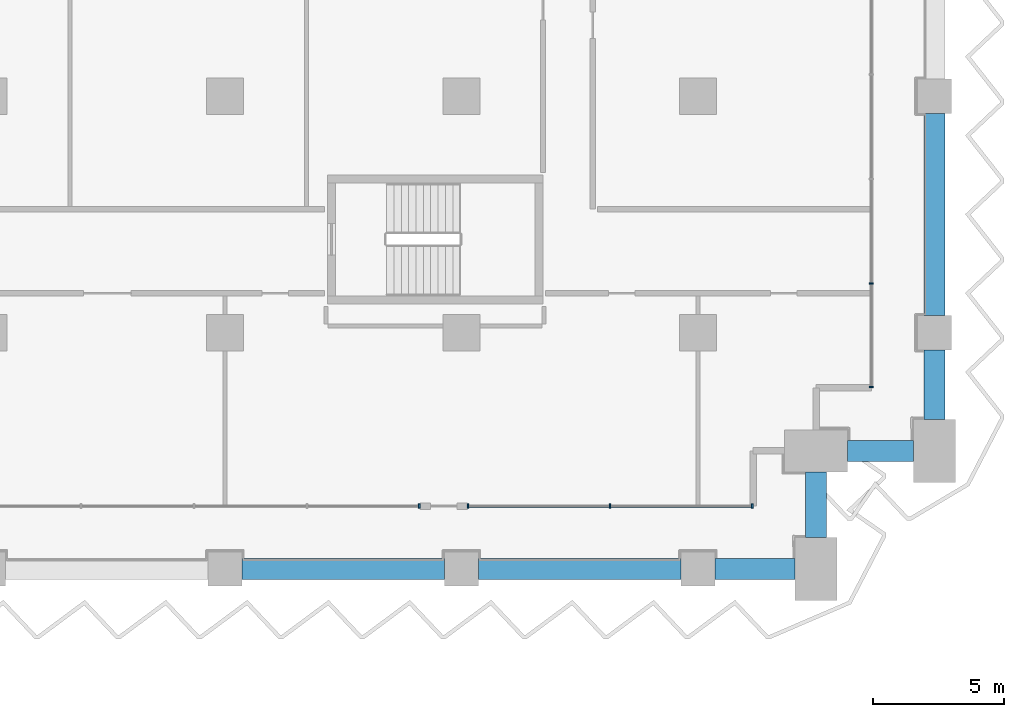
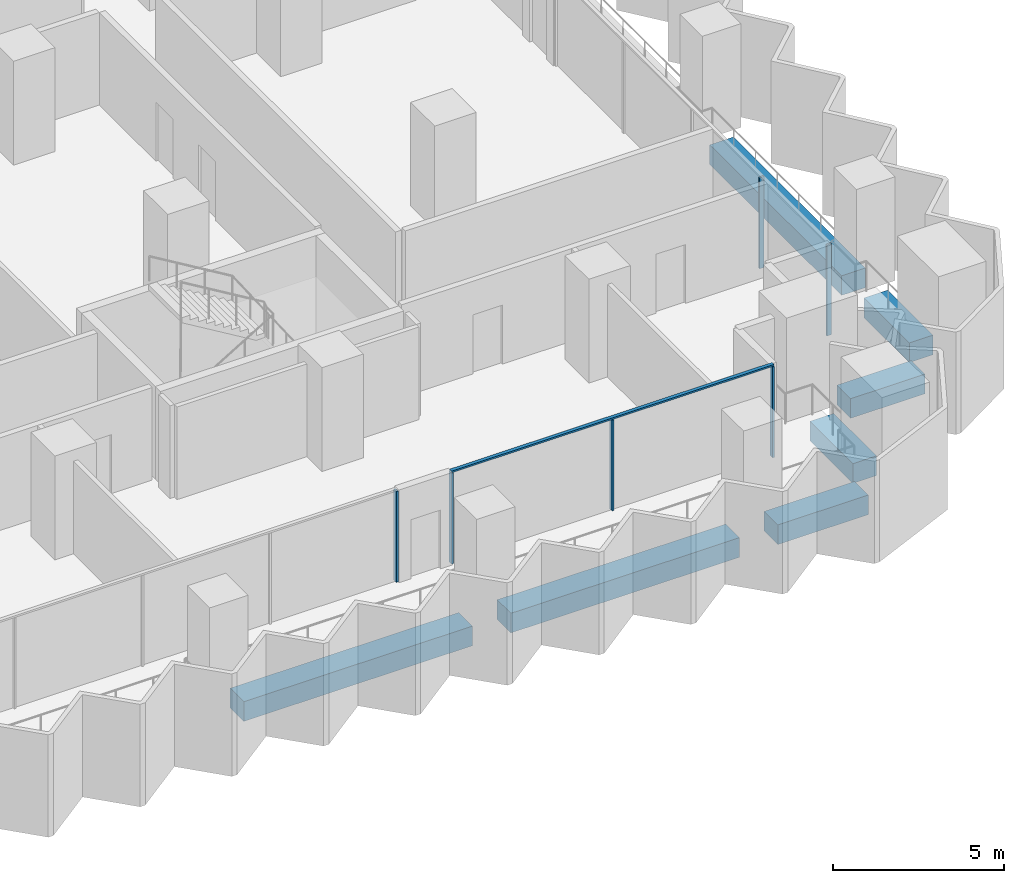
# One storey, part 6 of 28: 7 beams, 7 members, 3 elements without a shape of their own.
"""IFC4 building model written with IfcOpenShell, lengths in metres."""

from ifc_helpers import new_model, si_unit, direction, frame, origin, origin_2d, place, context, subcontext, project, spatial, rectangle, extrude, material, material_profile, profile_set, type_object, element, aggregate, save


model = new_model("IFC4")

# Units and contexts
model_context = context("Model", 3, precision=1e-05, world=origin(), true_north=direction((0.0, 1.0)))
body_context = subcontext(model_context, "Body", "Model", "MODEL_VIEW")
ifc_project = project(units=[si_unit("LENGTHUNIT", "METRE"), si_unit("AREAUNIT", "SQUARE_METRE"), si_unit("VOLUMEUNIT", "CUBIC_METRE"), si_unit("PLANEANGLEUNIT", "RADIAN"), si_unit("MASSUNIT", "GRAM", prefix="KILO")], contexts=[model_context])

# Site, building, storey
site_placement = place(None, origin())
site = spatial("IfcSite", under=ifc_project, at=site_placement, CompositionType="ELEMENT")
building_placement = place(site_placement, origin())
building = spatial("IfcBuilding", under=site, at=building_placement, Name="Hunhe Ridgeline Campus", CompositionType="ELEMENT")
storey_placement = place(building_placement, frame((0.0, 0.0, 43.199951171875)))
storey = spatial("IfcBuildingStorey", under=building, at=storey_placement, Name="L09", CompositionType="ELEMENT", Elevation=43.199951171875)

# Curtain wall, member
ifc_material_1 = material(Name="Aluminium 6063", Category="aluminium")
curtain_wall_type = type_object("IfcCurtainWallType", Name="Curtain wall CW-1", PredefinedType="NOTDEFINED", material=ifc_material_1)
curtain_wall_1_placement = place(storey_placement, origin())
curtain_wall_1 = element("IfcCurtainWall", 1, at=curtain_wall_1_placement, inside=storey, type_object=curtain_wall_type, Name="Curtain wall 13", PredefinedType="NOTDEFINED")
ifc_material_profile_1 = material_profile(ifc_material_1, rectangle(XDim=0.159912109375, YDim=0.06005859375, at=origin_2d()))
ifc_profile_set_1 = profile_set([ifc_material_profile_1], Name="Aluminium 6063")
member_type_1 = type_object("IfcMemberType", Name="CW-1 aluminium mullion", PredefinedType="MULLION", material=ifc_profile_set_1)
member_1_placement = place(storey_placement, frame((79.39404296875, 56.40087890625, 0.0), z_axis=(0.0, 0.0, 1.0), x_axis=(-3.602063e-06, 0.999999999994, 0.0)))
member_1 = element("IfcMember", 2, at=member_1_placement, type_object=member_type_1, Name="CW-1 mullion 9", PredefinedType="MULLION", context=body_context, shape_type="SweptSolid", body=[
    extrude(rectangle(XDim=0.159912109375, YDim=0.06005859375, at=origin_2d()), origin(), (0.0, 0.0, 1.0), 3.239990234375),
])
aggregate(curtain_wall_1, [member_1])

# Curtain wall, members
curtain_wall_2_placement = place(storey_placement, origin())
curtain_wall_2 = element("IfcCurtainWall", 3, at=curtain_wall_2_placement, inside=storey, type_object=curtain_wall_type, Name="Curtain wall 14", PredefinedType="NOTDEFINED")
member_2_placement = place(storey_placement, frame((81.254150390625, 56.40087890625, 0.0), z_axis=(0.0, 0.0, 1.0), x_axis=(-3.58625e-06, 0.999999999994, 0.0)))
member_2 = element("IfcMember", 4, at=member_2_placement, type_object=member_type_1, Name="CW-1 mullion 1", PredefinedType="MULLION", context=body_context, shape_type="SweptSolid", body=[
    extrude(rectangle(XDim=0.159912109375, YDim=0.06005859375, at=origin_2d()), origin(), (0.0, 0.0, 1.0), 3.239990234375),
])
member_3_placement = place(storey_placement, frame((86.66162109375, 56.40087890625, 0.0), z_axis=(0.0, 0.0, 1.0), x_axis=(-3.58625e-06, 0.999999999994, 0.0)))
member_3 = element("IfcMember", 5, at=member_3_placement, type_object=member_type_1, Name="CW-1 mullion 2", PredefinedType="MULLION", context=body_context, shape_type="SweptSolid", body=[
    extrude(rectangle(XDim=0.159912109375, YDim=0.06005859375, at=origin_2d()), origin(), (0.0, 0.0, 1.0), 3.239990234375),
])
member_4_placement = place(storey_placement, frame((92.069091796875, 56.40087890625, 0.0), z_axis=(0.0, 0.0, 1.0), x_axis=(-3.58625e-06, 0.999999999994, 0.0)))
member_4 = element("IfcMember", 6, at=member_4_placement, type_object=member_type_1, Name="CW-1 mullion 3", PredefinedType="MULLION", context=body_context, shape_type="SweptSolid", body=[
    extrude(rectangle(XDim=0.159912109375, YDim=0.06005859375, at=origin_2d()), origin(), (0.0, 0.0, 1.0), 3.239990234375),
])

curtain_wall_3_placement = place(storey_placement, origin())
curtain_wall_3 = element("IfcCurtainWall", 7, at=curtain_wall_3_placement, inside=storey, type_object=curtain_wall_type, Name="Curtain wall 15", PredefinedType="NOTDEFINED")
member_5_placement = place(storey_placement, frame((96.59912109375, 60.930908203125, 0.0), z_axis=(0.0, 0.0, 1.0), x_axis=(-1.0, 0.0, 0.0)))
member_5 = element("IfcMember", 8, at=member_5_placement, type_object=member_type_1, Name="CW-1 mullion 1", PredefinedType="MULLION", context=body_context, shape_type="SweptSolid", body=[
    extrude(rectangle(XDim=0.159912109375, YDim=0.06005859375, at=origin_2d()), origin(), (0.0, 0.0, 1.0), 3.239990234375),
])
member_6_placement = place(storey_placement, frame((96.59912109375, 64.8759765625, 0.0), z_axis=(0.0, 0.0, 1.0), x_axis=(-1.0, 0.0, 0.0)))
member_6 = element("IfcMember", 9, at=member_6_placement, type_object=member_type_1, Name="CW-1 mullion 2", PredefinedType="MULLION", context=body_context, shape_type="SweptSolid", body=[
    extrude(rectangle(XDim=0.159912109375, YDim=0.06005859375, at=origin_2d()), origin(), (0.0, 0.0, 1.0), 3.239990234375),
])
aggregate(curtain_wall_3, [member_5, member_6])

# Member
ifc_material_profile_2 = material_profile(ifc_material_1, rectangle(XDim=0.1201171875, YDim=0.06005859375, at=origin_2d()))
ifc_profile_set_2 = profile_set([ifc_material_profile_2], Name="Aluminium 6063")
member_type_2 = type_object("IfcMemberType", Name="CW-1 aluminium transom", PredefinedType="USERDEFINED", material=ifc_profile_set_2)
member_7_placement = place(storey_placement, frame((81.22412109375, 56.40087890625, 3.27001953125), z_axis=(1.0, 0.0, 0.0), x_axis=(0.0, 1.0, 0.0)))
member_7 = element("IfcMember", 10, at=member_7_placement, type_object=member_type_2, Name="CW-1 transom 1", ObjectType="TRANSOM", PredefinedType="USERDEFINED", context=body_context, shape_type="SweptSolid", body=[
    extrude(rectangle(XDim=0.1201171875, YDim=0.06005859375, at=origin_2d()), origin(), (0.0, 0.0, 1.0), 10.875),
])

aggregate(curtain_wall_2, [member_7, member_2, member_3, member_4])

# Beams
ifc_material_2 = material(Name="Concrete C60", Category="concrete")
ifc_material_profile_3 = material_profile(ifc_material_2, rectangle(XDim=0.800048828125, YDim=0.699951171875, at=origin_2d()))
ifc_profile_set_3 = profile_set([ifc_material_profile_3], Name="Concrete C60")
beam_type = type_object("IfcBeamType", Name="RC spandrel beam 800x700 Concrete C60", PredefinedType="SPANDREL", material=ifc_profile_set_3)
for number, where, z_axis, x_axis, name in (
    (11, (72.64990234375, 54.0, -0.599853515625), (1.0, 0.0, 0.0), (0.0, 1.0, 0.0), "Spandrel beam B1-15 L09"),
    (12, (81.64990234375, 54.0, -0.599853515625), (1.0, 0.0, 0.0), (0.0, 1.0, 0.0), "Spandrel beam B1-16 L09"),
):
    element("IfcBeam", number, at=place(storey_placement, frame(where, z_axis=z_axis, x_axis=x_axis)), inside=storey, type_object=beam_type, Name=name, PredefinedType="SPANDREL", context=body_context, shape_type="SweptSolid", body=[
        extrude(rectangle(XDim=0.800048828125, YDim=0.699951171875, at=origin_2d()), origin(), (0.0, 0.0, 1.0), 7.7001953125),
    ])
beam_1_placement = place(storey_placement, frame((90.64990234375, 54.0, -0.599853515625), z_axis=(1.0, 0.0, 0.0), x_axis=(0.0, 1.0, 0.0)))
element("IfcBeam", 13, at=beam_1_placement, inside=storey, type_object=beam_type, Name="Spandrel beam B1-17 L09", PredefinedType="SPANDREL", context=body_context, shape_type="SweptSolid", body=[
    extrude(rectangle(XDim=0.800048828125, YDim=0.699951171875, at=origin_2d()), origin(), (0.0, 0.0, 1.0), 3.050048828125),
])
for number, where, z_axis, x_axis, name in (
    (14, (94.5, 55.199951171875, -0.599853515625), (0.0, 1.0, 0.0), (-1.0, 0.0, 0.0), "Spandrel beam B1-18 L09"),
    (15, (95.699951171875, 58.5, -0.599853515625), (1.0, 0.0, 0.0), (0.0, 1.0, 0.0), "Spandrel beam B1-19 L09"),
):
    element("IfcBeam", number, at=place(storey_placement, frame(where, z_axis=z_axis, x_axis=x_axis)), inside=storey, type_object=beam_type, Name=name, PredefinedType="SPANDREL", context=body_context, shape_type="SweptSolid", body=[
        extrude(rectangle(XDim=0.800048828125, YDim=0.699951171875, at=origin_2d()), origin(), (0.0, 0.0, 1.0), 2.5),
    ])
beam_2_placement = place(storey_placement, frame((99.0, 59.699951171875, -0.599853515625), z_axis=(0.0, 1.0, 0.0), x_axis=(-1.0, 0.0, 0.0)))
element("IfcBeam", 16, at=beam_2_placement, inside=storey, type_object=beam_type, Name="Spandrel beam B1-20 L09", PredefinedType="SPANDREL", context=body_context, shape_type="SweptSolid", body=[
    extrude(rectangle(XDim=0.800048828125, YDim=0.699951171875, at=origin_2d()), origin(), (0.0, 0.0, 1.0), 2.650146484375),
])
beam_3_placement = place(storey_placement, frame((99.0, 63.64990234375, -0.599853515625), z_axis=(0.0, 1.0, 0.0), x_axis=(-1.0, 0.0, 0.0)))
element("IfcBeam", 17, at=beam_3_placement, inside=storey, type_object=beam_type, Name="Spandrel beam B1-21 L09", PredefinedType="SPANDREL", context=body_context, shape_type="SweptSolid", body=[
    extrude(rectangle(XDim=0.800048828125, YDim=0.699951171875, at=origin_2d()), origin(), (0.0, 0.0, 1.0), 7.7001953125),
])

save(model, "model.ifc")
